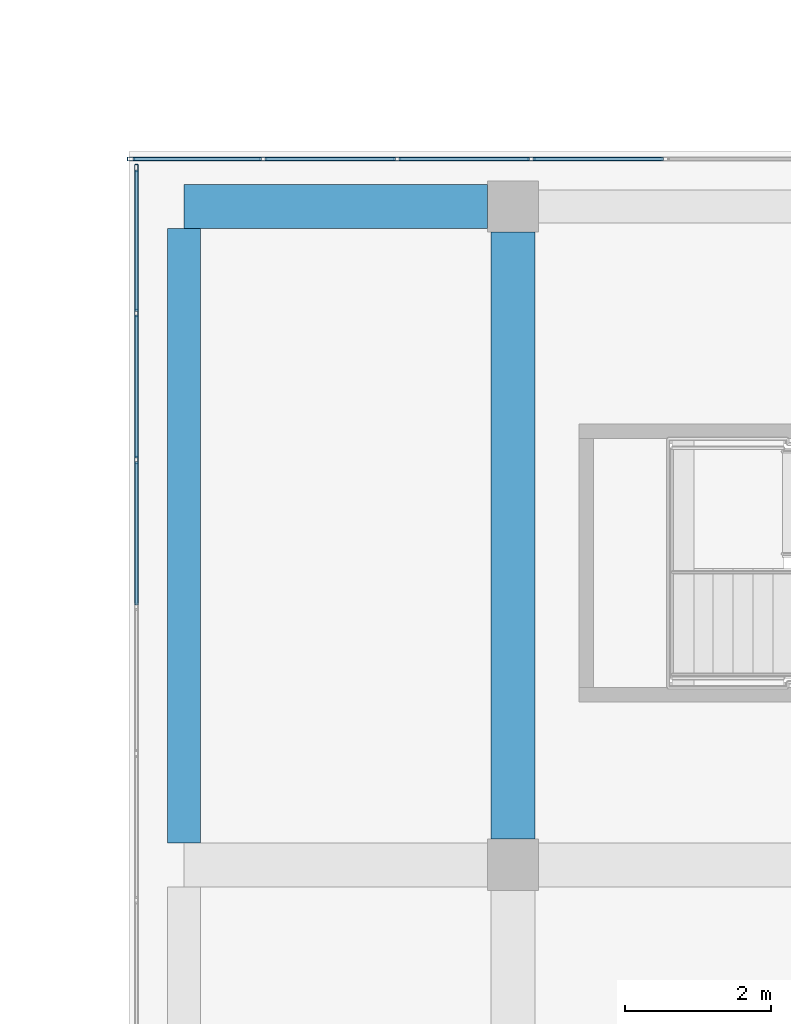
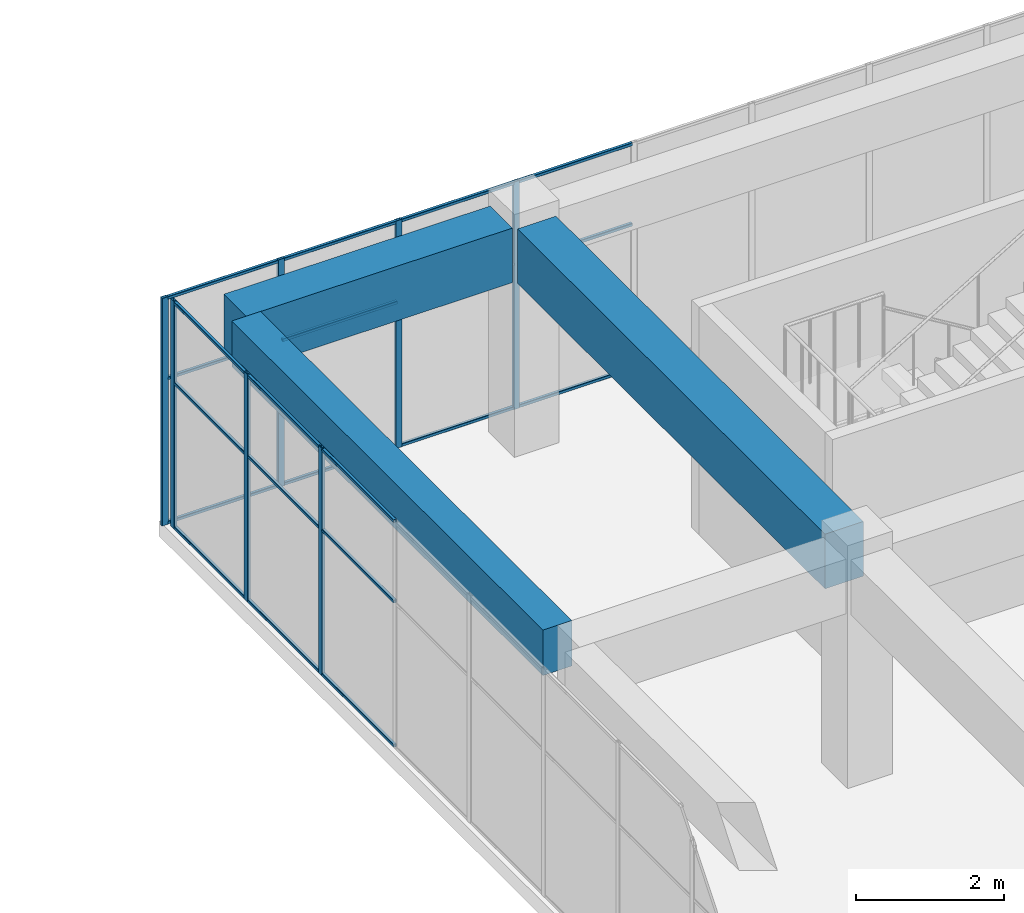
# One storey, part 27 of 43: 28 members, 3 beams, 2 elements without a shape of their own.
"""IFC4 building model written with IfcOpenShell, lengths in metres."""

import ifcopenshell
import ifcopenshell.guid

model = None  # the IFC model being written
_history = None  # IfcOwnerHistory: only IFC2X3 demands one
_inside = {}  # id of a spatial element -> (the spatial element, [elements in it])
_under = {}  # id of a project, library or spatial element -> (it, [spatial elements below it])
_declared = {}  # id of a project -> (the project, [libraries it declares])
_typed = {}  # id of a type object -> (the type object, [elements of that type])
_made_of = {}  # id of a material, layer set ... -> (it, [elements and type objects made of it])


def new_model(schema):
    """Start an empty IFC model of exactly this schema.

    Asked for "IFC4X3", IfcOpenShell would pick the latest addendum, in which some entities
    have other attributes; the version numbers below select the first issue.
    IFC2X3 requires an IfcOwnerHistory on every rooted entity: one is made here for all.
    """
    global model, _history
    if schema == "IFC4X3":
        model = ifcopenshell.file(schema_version=(4, 3, 0, 0))
    else:
        model = ifcopenshell.file(schema=schema)
    _inside.clear()
    _under.clear()
    _declared.clear()
    _typed.clear()
    _made_of.clear()
    _history = None
    if model.schema == "IFC2X3":
        org = make("IfcOrganization", Name="unknown")
        user = make(
            "IfcPersonAndOrganization",
            ThePerson=make("IfcPerson", FamilyName="unknown"),
            TheOrganization=org,
        )
        app = make(
            "IfcApplication",
            ApplicationDeveloper=org,
            Version="unknown",
            ApplicationFullName="unknown",
            ApplicationIdentifier="unknown",
        )
        _history = make(
            "IfcOwnerHistory",
            OwningUser=user,
            OwningApplication=app,
            ChangeAction="ADDED",
            CreationDate=0,
        )
    return model


def make(cls, **values):
    """One entity of the class cls with the attributes given. An attribute that is None is left unset."""
    return model.create_entity(
        cls, **{name: value for name, value in values.items() if value is not None}
    )


def rooted(cls, **values):
    """An entity with a GlobalId (a new one), such as an element, a storey or a relation."""
    return make(cls, GlobalId=ifcopenshell.guid.new(), OwnerHistory=_history, **values)


def si_unit(unit_type, name, prefix=None):
    """IfcSIUnit, for example si_unit("LENGTHUNIT", "METRE", prefix="MILLI")."""
    return make("IfcSIUnit", UnitType=unit_type, Prefix=prefix, Name=name)


def assignment(units):
    """IfcUnitAssignment: the units of a project."""
    return None if units is None else make("IfcUnitAssignment", Units=units)


def point(xyz):
    """IfcCartesianPoint."""
    return None if xyz is None else make("IfcCartesianPoint", Coordinates=xyz)


def direction(xyz):
    """IfcDirection."""
    return None if xyz is None else make("IfcDirection", DirectionRatios=xyz)


def frame(location, z_axis=None, x_axis=None):
    """IfcAxis2Placement3D, a coordinate frame: its origin and axes. An axis left out is left unset."""
    return make(
        "IfcAxis2Placement3D",
        Location=point(location),
        Axis=direction(z_axis),
        RefDirection=direction(x_axis),
    )


def frame_2d(location, x_axis=None):
    """IfcAxis2Placement2D, a coordinate frame in the plane: its origin and x axis."""
    return make(
        "IfcAxis2Placement2D", Location=point(location), RefDirection=direction(x_axis)
    )


def origin():
    """The frame at (0, 0, 0) with its axes left unset."""
    return frame((0.0, 0.0, 0.0))


def origin_2d():
    """The frame at (0, 0) in the plane with its x axis left unset."""
    return frame_2d((0.0, 0.0))


def place(relative_to, where):
    """IfcLocalPlacement: puts the frame where relative to a parent placement (None: the world)."""
    return make(
        "IfcLocalPlacement", PlacementRelTo=relative_to, RelativePlacement=where
    )


def context(
    kind, dimensions, precision=None, world=None, true_north=None, identifier=None
):
    """IfcGeometricRepresentationContext, for example the 3D "Model" context."""
    return make(
        "IfcGeometricRepresentationContext",
        ContextIdentifier=identifier,
        ContextType=kind,
        CoordinateSpaceDimension=dimensions,
        Precision=precision,
        WorldCoordinateSystem=world,
        TrueNorth=true_north,
    )


def subcontext(parent, identifier, kind, view, scale=None):
    """IfcGeometricRepresentationSubContext, for example "Body" below "Model"."""
    return make(
        "IfcGeometricRepresentationSubContext",
        ContextIdentifier=identifier,
        ContextType=kind,
        ParentContext=parent,
        TargetScale=scale,
        TargetView=view,
    )


def project(units=None, contexts=None):
    """IfcProject with its units and contexts."""
    return rooted(
        "IfcProject",
        Name="project",
        RepresentationContexts=contexts,
        UnitsInContext=assignment(units),
    )


def spatial(cls, under=None, at=None, **own):
    """A site, building, storey or space (cls), placed at a placement, below another one or the project."""
    s = rooted(cls, ObjectPlacement=at, **own)
    if under is not None:
        _under.setdefault(under.id(), (under, []))[1].append(s)
    return s


def profile(cls, at=None, kind="AREA", **sizes):
    """A parametric profile (cls). Its sizes go by their IFC names, for example OverallWidth=200.0."""
    return make(cls, ProfileType=kind, Position=at, **sizes)


def rectangle(**sizes):
    """IfcRectangleProfileDef."""
    return profile("IfcRectangleProfileDef", **sizes)


def hollow_rectangle(**sizes):
    """IfcRectangleHollowProfileDef."""
    return profile("IfcRectangleHollowProfileDef", **sizes)


def extrude(swept, where, along, depth):
    """IfcExtrudedAreaSolid: the profile swept, set in the frame where, extruded along a direction by depth."""
    return make(
        "IfcExtrudedAreaSolid",
        SweptArea=swept,
        Position=where,
        ExtrudedDirection=direction(along),
        Depth=depth,
    )


def shape(context_of_items, identifier, shape_type, items):
    """IfcShapeRepresentation: the items that make up one representation, for example the "Body"."""
    return make(
        "IfcShapeRepresentation",
        ContextOfItems=context_of_items,
        RepresentationIdentifier=identifier,
        RepresentationType=shape_type,
        Items=items,
    )


def material(Name=None, Category=None):
    """IfcMaterial."""
    return make("IfcMaterial", Name=Name, Category=Category)


def layer(
    of_material, thickness, ventilated=None, Name=None, Category=None, Priority=None
):
    """IfcMaterialLayer: one layer of a wall or slab, of a material (None: an air gap)."""
    return make(
        "IfcMaterialLayer",
        Material=of_material,
        LayerThickness=thickness,
        IsVentilated=ventilated,
        Name=Name,
        Category=Category,
        Priority=Priority,
    )


def layer_set(layers, Name=None):
    """IfcMaterialLayerSet."""
    return make("IfcMaterialLayerSet", MaterialLayers=layers, LayerSetName=Name)


def material_profile(
    of_material, cross_section, Name=None, Category=None, Priority=None
):
    """IfcMaterialProfile: a cross section and its material."""
    return make(
        "IfcMaterialProfile",
        Name=Name,
        Material=of_material,
        Profile=cross_section,
        Priority=Priority,
        Category=Category,
    )


def profile_set(profiles, Name=None, composite=None):
    """IfcMaterialProfileSet."""
    return make(
        "IfcMaterialProfileSet",
        Name=Name,
        MaterialProfiles=profiles,
        CompositeProfile=composite,
    )


def made_of(thing, what):
    """Note that an element or type object is made of a material, layer set ...; save() writes the relation."""
    if what is not None:
        _made_of.setdefault(what.id(), (what, []))[1].append(thing)
    return thing


def type_object(cls, material=None, **own):
    """A type object (cls), such as IfcWallType, which elements share."""
    return made_of(rooted(cls, **own), material)


def element(
    cls,
    number,
    at=None,
    inside=None,
    cuts=None,
    type_object=None,
    material=None,
    context=None,
    identifier="Body",
    shape_type=None,
    held_by="IfcProductDefinitionShape",
    body=None,
    shapes=None,
    **own,
):
    """One element of the class cls, such as IfcWall. Its Tag is "e" and its number.

    at: its placement. inside: the storey or other place that contains it. cuts: it is an
    opening in that element (IfcRelVoidsElement). A single representation is given by context,
    identifier, shape_type and body (its items); several are given by shapes. held_by: the class
    of the entity that holds the representations. save() writes the other relations.
    """
    e = rooted(cls, Tag="e%d" % number, ObjectPlacement=at, **own)
    if body is not None:
        shapes = [shape(context, identifier, shape_type, body)]
    if shapes is not None:
        e.Representation = make(held_by, Representations=shapes)
    if inside is not None:
        _inside.setdefault(inside.id(), (inside, []))[1].append(e)
    if cuts is not None:
        rooted(
            "IfcRelVoidsElement", RelatingBuildingElement=cuts, RelatedOpeningElement=e
        )
    if type_object is not None:
        _typed.setdefault(type_object.id(), (type_object, []))[1].append(e)
    return made_of(e, material)


def aggregate(whole, parts):
    """IfcRelAggregates: a whole, such as a stair, and the parts it consists of."""
    return rooted("IfcRelAggregates", RelatingObject=whole, RelatedObjects=parts)


def save(model, path):
    """Write the relations noted so far, then the file.

    IfcRelAggregates (storeys below a building ...), IfcRelContainedInSpatialStructure (elements
    in a storey), IfcRelDefinesByType, IfcRelAssociatesMaterial and IfcRelDeclares: one each for
    every whole, place, type object, material and project.
    """
    for whole, parts in _under.values():
        aggregate(whole, parts)
    for where, things in _inside.values():
        rooted(
            "IfcRelContainedInSpatialStructure",
            RelatedElements=things,
            RelatingStructure=where,
        )
    for kind, things in _typed.values():
        rooted("IfcRelDefinesByType", RelatedObjects=things, RelatingType=kind)
    for what, things in _made_of.values():
        rooted("IfcRelAssociatesMaterial", RelatedObjects=things, RelatingMaterial=what)
    for by, libraries in _declared.values():
        rooted("IfcRelDeclares", RelatingContext=by, RelatedDefinitions=libraries)
    model.write(path)


model = new_model("IFC4")

# Units and contexts
model_context = context("Model", 3, precision=1e-05, world=origin(), true_north=direction((0.0, 1.0)))
body_context = subcontext(model_context, "Body", "Model", "MODEL_VIEW")
ifc_project = project(units=[si_unit("LENGTHUNIT", "METRE"), si_unit("AREAUNIT", "SQUARE_METRE"), si_unit("VOLUMEUNIT", "CUBIC_METRE"), si_unit("PLANEANGLEUNIT", "RADIAN"), si_unit("MASSUNIT", "GRAM", prefix="KILO")], contexts=[model_context])

# Site, building, storey
site_placement = place(None, origin())
site = spatial("IfcSite", under=ifc_project, at=site_placement, CompositionType="ELEMENT")
building_placement = place(site_placement, origin())
building = spatial("IfcBuilding", under=site, at=building_placement, Name="Tuart Plaza Theatre", CompositionType="ELEMENT")
storey_placement = place(building_placement, frame((0.0, 0.0, 33.5)))
storey = spatial("IfcBuildingStorey", under=building, at=storey_placement, Name="L08", CompositionType="ELEMENT", Elevation=33.5)

# Beams
ifc_material_1 = material(Name="Concrete N40 (40 MPa)", Category="concrete")
ifc_material_profile_1 = material_profile(ifc_material_1, rectangle(XDim=0.449951171875, YDim=0.75, at=origin_2d()), Name="BEAM 450x750 Concrete N40 (40 MPa)")
ifc_profile_set_1 = profile_set([ifc_material_profile_1], Name="Concrete N40 (40 MPa)")
beam_type_1 = type_object("IfcBeamType", Name="BEAM 450x750 Concrete N40 (40 MPa)", PredefinedType="BEAM", material=ifc_profile_set_1)
beam_1_placement = place(storey_placement, frame((109.5, 83.300048828125, 3.375), z_axis=(0.0, 1.0, 0.0), x_axis=(-1.0, 0.0, 0.0)))
element("IfcBeam", 1, at=beam_1_placement, inside=storey, type_object=beam_type_1, Name="RB252", PredefinedType="BEAM", context=body_context, shape_type="SweptSolid", body=[
    extrude(rectangle(XDim=0.449951171875, YDim=0.75, at=origin_2d()), origin(), (0.0, 0.0, 1.0), 8.39990234375),
])
ifc_material_2 = material(Name="Concrete N40 (40 MPa)", Category="concrete")
ifc_material_profile_2 = material_profile(ifc_material_2, rectangle(XDim=0.60009765625, YDim=0.89990234375, at=origin_2d()), Name="BEAM 600x900 Concrete N40 (40 MPa)")
ifc_profile_set_2 = profile_set([ifc_material_profile_2], Name="Concrete N40 (40 MPa)")
beam_type_2 = type_object("IfcBeamType", Name="BEAM 600x900 Concrete N40 (40 MPa)", PredefinedType="BEAM", material=ifc_profile_set_2)
beam_2_placement = place(storey_placement, frame((109.5, 92.0, 3.300048828125), z_axis=(1.0, 0.0, 0.0), x_axis=(0.0, 1.0, 0.0)))
element("IfcBeam", 2, at=beam_2_placement, inside=storey, type_object=beam_type_2, Name="RB254", PredefinedType="BEAM", context=body_context, shape_type="SweptSolid", body=[
    extrude(rectangle(XDim=0.60009765625, YDim=0.89990234375, at=origin_2d()), origin(), (0.0, 0.0, 1.0), 4.14990234375),
])
beam_3_placement = place(storey_placement, frame((114.0, 83.35009765625, 3.300048828125), z_axis=(0.0, 1.0, 0.0), x_axis=(-1.0, 0.0, 0.0)))
element("IfcBeam", 3, at=beam_3_placement, inside=storey, type_object=beam_type_2, Name="RB261", PredefinedType="BEAM", context=body_context, shape_type="SweptSolid", body=[
    extrude(rectangle(XDim=0.60009765625, YDim=0.89990234375, at=origin_2d()), origin(), (0.0, 0.0, 1.0), 8.2998046875),
])

# Curtain wall, members
ifc_material_3 = material(Name="Aluminium and glass", Category="aluminium")
ifc_layer_1 = layer(ifc_material_3, 0.10009765625)
ifc_layer_set_1 = layer_set([ifc_layer_1], Name="CURTAIN WALL 1800 module")
curtain_wall_type_1 = type_object("IfcCurtainWallType", Name="CURTAIN WALL 1800 module", PredefinedType="NOTDEFINED", material=ifc_layer_set_1)
curtain_wall_1_placement = place(storey_placement, origin())
curtain_wall_1 = element("IfcCurtainWall", 4, at=curtain_wall_1_placement, inside=storey, type_object=curtain_wall_type_1, Name="CW95", PredefinedType="NOTDEFINED")
ifc_material_4 = material(Name="Aluminium 6063-T5", Category="aluminium")
ifc_material_profile_3 = material_profile(ifc_material_4, hollow_rectangle(XDim=0.050048828125, YDim=0.10009765625, WallThickness=0.00390625, InnerFilletRadius=0.00390625, OuterFilletRadius=0.008056640625, at=origin_2d()), Name="RHS 100x50x4")
ifc_profile_set_3 = profile_set([ifc_material_profile_3], Name="Aluminium 6063-T5")
member_type_1 = type_object("IfcMemberType", Name="MULLION RHS 100x50x4", PredefinedType="MULLION", material=ifc_profile_set_3)
member_1_placement = place(storey_placement, frame((114.25, 92.64990234375, 0.0), z_axis=(0.0, 0.0, 1.0), x_axis=(0.0, -1.0, 0.0)))
member_1 = element("IfcMember", 5, at=member_1_placement, type_object=member_type_1, Name="CW95 mullion 16", PredefinedType="MULLION", context=body_context, shape_type="SweptSolid", body=[
    extrude(hollow_rectangle(XDim=0.050048828125, YDim=0.10009765625, WallThickness=0.00390625, InnerFilletRadius=0.00390625, OuterFilletRadius=0.008056640625, at=origin_2d()), origin(), (0.0, 0.0, 1.0), 3.75),
])
member_2_placement = place(storey_placement, frame((112.416748046875, 92.64990234375, 0.0), z_axis=(0.0, 0.0, 1.0), x_axis=(0.0, -1.0, 0.0)))
member_2 = element("IfcMember", 6, at=member_2_placement, type_object=member_type_1, Name="CW95 mullion 17", PredefinedType="MULLION", context=body_context, shape_type="SweptSolid", body=[
    extrude(hollow_rectangle(XDim=0.050048828125, YDim=0.10009765625, WallThickness=0.00390625, InnerFilletRadius=0.00390625, OuterFilletRadius=0.008056640625, at=origin_2d()), origin(), (0.0, 0.0, 1.0), 3.75),
])
member_3_placement = place(storey_placement, frame((110.583251953125, 92.64990234375, 0.0), z_axis=(0.0, 0.0, 1.0), x_axis=(0.0, -1.0, 0.0)))
member_3 = element("IfcMember", 7, at=member_3_placement, type_object=member_type_1, Name="CW95 mullion 18", PredefinedType="MULLION", context=body_context, shape_type="SweptSolid", body=[
    extrude(hollow_rectangle(XDim=0.050048828125, YDim=0.10009765625, WallThickness=0.00390625, InnerFilletRadius=0.00390625, OuterFilletRadius=0.008056640625, at=origin_2d()), origin(), (0.0, 0.0, 1.0), 3.75),
])
member_4_placement = place(storey_placement, frame((108.77490234375, 92.64990234375, 0.0), z_axis=(0.0, 0.0, 1.0), x_axis=(0.0, -1.0, 0.0)))
member_4 = element("IfcMember", 8, at=member_4_placement, type_object=member_type_1, Name="CW95 mullion 19", PredefinedType="MULLION", context=body_context, shape_type="SweptSolid", body=[
    extrude(hollow_rectangle(XDim=0.050048828125, YDim=0.10009765625, WallThickness=0.00390625, InnerFilletRadius=0.00390625, OuterFilletRadius=0.008056640625, at=origin_2d()), origin(), (0.0, 0.0, 1.0), 3.75),
])

ifc_material_5 = material(Name="Aluminium and glass", Category="aluminium")
ifc_layer_2 = layer(ifc_material_5, 0.10009765625)
ifc_layer_set_2 = layer_set([ifc_layer_2], Name="CURTAIN WALL 2000 module")
curtain_wall_type_2 = type_object("IfcCurtainWallType", Name="CURTAIN WALL 2000 module", PredefinedType="NOTDEFINED", material=ifc_layer_set_2)
curtain_wall_2_placement = place(storey_placement, origin())
curtain_wall_2 = element("IfcCurtainWall", 9, at=curtain_wall_2_placement, inside=storey, type_object=curtain_wall_type_2, Name="CW97", PredefinedType="NOTDEFINED")
member_5_placement = place(storey_placement, frame((108.85009765625, 92.52490234375, 0.0), z_axis=(0.0, 0.0, 1.0), x_axis=(1.0, 0.0, 0.0)))
member_5 = element("IfcMember", 10, at=member_5_placement, type_object=member_type_1, Name="CW97 mullion 1", PredefinedType="MULLION", context=body_context, shape_type="SweptSolid", body=[
    extrude(hollow_rectangle(XDim=0.050048828125, YDim=0.10009765625, WallThickness=0.00390625, InnerFilletRadius=0.00390625, OuterFilletRadius=0.008056640625, at=origin_2d()), origin(), (0.0, 0.0, 1.0), 3.75),
])
member_6_placement = place(storey_placement, frame((108.85009765625, 90.54296875, 0.0), z_axis=(0.0, 0.0, 1.0), x_axis=(1.0, 0.0, 0.0)))
member_6 = element("IfcMember", 11, at=member_6_placement, type_object=member_type_1, Name="CW97 mullion 2", PredefinedType="MULLION", context=body_context, shape_type="SweptSolid", body=[
    extrude(hollow_rectangle(XDim=0.050048828125, YDim=0.10009765625, WallThickness=0.00390625, InnerFilletRadius=0.00390625, OuterFilletRadius=0.008056640625, at=origin_2d()), origin(), (0.0, 0.0, 1.0), 3.75),
])
member_7_placement = place(storey_placement, frame((108.85009765625, 88.53564453125, 0.0), z_axis=(0.0, 0.0, 1.0), x_axis=(1.0, 0.0, 0.0)))
member_7 = element("IfcMember", 12, at=member_7_placement, type_object=member_type_1, Name="CW97 mullion 3", PredefinedType="MULLION", context=body_context, shape_type="SweptSolid", body=[
    extrude(hollow_rectangle(XDim=0.050048828125, YDim=0.10009765625, WallThickness=0.00390625, InnerFilletRadius=0.00390625, OuterFilletRadius=0.008056640625, at=origin_2d()), origin(), (0.0, 0.0, 1.0), 3.75),
])

# Member
ifc_material_6 = material(Name="Aluminium 6063-T5", Category="aluminium")
ifc_material_profile_4 = material_profile(ifc_material_6, hollow_rectangle(XDim=0.050048828125, YDim=0.050048828125, WallThickness=0.00390625, InnerFilletRadius=0.00390625, OuterFilletRadius=0.008056640625, at=origin_2d()), Name="RHS 50x50x4")
ifc_profile_set_4 = profile_set([ifc_material_profile_4], Name="Aluminium 6063-T5")
member_type_2 = type_object("IfcMemberType", Name="TRANSOM RHS 50x50x4", PredefinedType="USERDEFINED", material=ifc_profile_set_4)
member_8_placement = place(storey_placement, frame((116.058349609375, 92.64990234375, 0.02490234375), z_axis=(-1.0, 0.0, 0.0), x_axis=(0.0, -1.0, 0.0)))
member_8 = element("IfcMember", 13, at=member_8_placement, type_object=member_type_2, Name="CW95 transom 15.1", ObjectType="TRANSOM", PredefinedType="USERDEFINED", context=body_context, shape_type="SweptSolid", body=[
    extrude(hollow_rectangle(XDim=0.050048828125, YDim=0.050048828125, WallThickness=0.00390625, InnerFilletRadius=0.00390625, OuterFilletRadius=0.008056640625, at=origin_2d()), origin(), (0.0, 0.0, 1.0), 1.783447265625),
])

member_9_placement = place(storey_placement, frame((116.058349609375, 92.64990234375, 2.39990234375), z_axis=(-1.0, 0.0, 0.0), x_axis=(0.0, -1.0, 0.0)))
member_9 = element("IfcMember", 14, at=member_9_placement, type_object=member_type_2, Name="CW95 transom 15.2", ObjectType="TRANSOM", PredefinedType="USERDEFINED", context=body_context, shape_type="SweptSolid", body=[
    extrude(hollow_rectangle(XDim=0.050048828125, YDim=0.050048828125, WallThickness=0.00390625, InnerFilletRadius=0.00390625, OuterFilletRadius=0.008056640625, at=origin_2d()), origin(), (0.0, 0.0, 1.0), 1.783447265625),
])

member_10_placement = place(storey_placement, frame((116.058349609375, 92.64990234375, 3.72509765625), z_axis=(-1.0, 0.0, 0.0), x_axis=(0.0, -1.0, 0.0)))
member_10 = element("IfcMember", 15, at=member_10_placement, type_object=member_type_2, Name="CW95 transom 15.3", ObjectType="TRANSOM", PredefinedType="USERDEFINED", context=body_context, shape_type="SweptSolid", body=[
    extrude(hollow_rectangle(XDim=0.050048828125, YDim=0.050048828125, WallThickness=0.00390625, InnerFilletRadius=0.00390625, OuterFilletRadius=0.008056640625, at=origin_2d()), origin(), (0.0, 0.0, 1.0), 1.783447265625),
])

member_11_placement = place(storey_placement, frame((114.22509765625, 92.64990234375, 0.02490234375), z_axis=(-1.0, 0.0, 0.0), x_axis=(0.0, -1.0, 0.0)))
member_11 = element("IfcMember", 16, at=member_11_placement, type_object=member_type_2, Name="CW95 transom 16.1", ObjectType="TRANSOM", PredefinedType="USERDEFINED", context=body_context, shape_type="SweptSolid", body=[
    extrude(hollow_rectangle(XDim=0.050048828125, YDim=0.050048828125, WallThickness=0.00390625, InnerFilletRadius=0.00390625, OuterFilletRadius=0.008056640625, at=origin_2d()), origin(), (0.0, 0.0, 1.0), 1.783447265625),
])

member_12_placement = place(storey_placement, frame((114.22509765625, 92.64990234375, 2.39990234375), z_axis=(-1.0, 0.0, 0.0), x_axis=(0.0, -1.0, 0.0)))
member_12 = element("IfcMember", 17, at=member_12_placement, type_object=member_type_2, Name="CW95 transom 16.2", ObjectType="TRANSOM", PredefinedType="USERDEFINED", context=body_context, shape_type="SweptSolid", body=[
    extrude(hollow_rectangle(XDim=0.050048828125, YDim=0.050048828125, WallThickness=0.00390625, InnerFilletRadius=0.00390625, OuterFilletRadius=0.008056640625, at=origin_2d()), origin(), (0.0, 0.0, 1.0), 1.783447265625),
])

member_13_placement = place(storey_placement, frame((114.22509765625, 92.64990234375, 3.72509765625), z_axis=(-1.0, 0.0, 0.0), x_axis=(0.0, -1.0, 0.0)))
member_13 = element("IfcMember", 18, at=member_13_placement, type_object=member_type_2, Name="CW95 transom 16.3", ObjectType="TRANSOM", PredefinedType="USERDEFINED", context=body_context, shape_type="SweptSolid", body=[
    extrude(hollow_rectangle(XDim=0.050048828125, YDim=0.050048828125, WallThickness=0.00390625, InnerFilletRadius=0.00390625, OuterFilletRadius=0.008056640625, at=origin_2d()), origin(), (0.0, 0.0, 1.0), 1.783447265625),
])

member_14_placement = place(storey_placement, frame((112.3916015625, 92.64990234375, 0.02490234375), z_axis=(-1.0, 0.0, 0.0), x_axis=(0.0, -1.0, 0.0)))
member_14 = element("IfcMember", 19, at=member_14_placement, type_object=member_type_2, Name="CW95 transom 17.1", ObjectType="TRANSOM", PredefinedType="USERDEFINED", context=body_context, shape_type="SweptSolid", body=[
    extrude(hollow_rectangle(XDim=0.050048828125, YDim=0.050048828125, WallThickness=0.00390625, InnerFilletRadius=0.00390625, OuterFilletRadius=0.008056640625, at=origin_2d()), origin(), (0.0, 0.0, 1.0), 1.783203125),
])

member_15_placement = place(storey_placement, frame((112.3916015625, 92.64990234375, 2.39990234375), z_axis=(-1.0, 0.0, 0.0), x_axis=(0.0, -1.0, 0.0)))
member_15 = element("IfcMember", 20, at=member_15_placement, type_object=member_type_2, Name="CW95 transom 17.2", ObjectType="TRANSOM", PredefinedType="USERDEFINED", context=body_context, shape_type="SweptSolid", body=[
    extrude(hollow_rectangle(XDim=0.050048828125, YDim=0.050048828125, WallThickness=0.00390625, InnerFilletRadius=0.00390625, OuterFilletRadius=0.008056640625, at=origin_2d()), origin(), (0.0, 0.0, 1.0), 1.783203125),
])

member_16_placement = place(storey_placement, frame((112.3916015625, 92.64990234375, 3.72509765625), z_axis=(-1.0, 0.0, 0.0), x_axis=(0.0, -1.0, 0.0)))
member_16 = element("IfcMember", 21, at=member_16_placement, type_object=member_type_2, Name="CW95 transom 17.3", ObjectType="TRANSOM", PredefinedType="USERDEFINED", context=body_context, shape_type="SweptSolid", body=[
    extrude(hollow_rectangle(XDim=0.050048828125, YDim=0.050048828125, WallThickness=0.00390625, InnerFilletRadius=0.00390625, OuterFilletRadius=0.008056640625, at=origin_2d()), origin(), (0.0, 0.0, 1.0), 1.783203125),
])

member_17_placement = place(storey_placement, frame((110.558349609375, 92.64990234375, 0.02490234375), z_axis=(-1.0, 0.0, 0.0), x_axis=(0.0, -1.0, 0.0)))
member_17 = element("IfcMember", 22, at=member_17_placement, type_object=member_type_2, Name="CW95 transom 18.1", ObjectType="TRANSOM", PredefinedType="USERDEFINED", context=body_context, shape_type="SweptSolid", body=[
    extrude(hollow_rectangle(XDim=0.050048828125, YDim=0.050048828125, WallThickness=0.00390625, InnerFilletRadius=0.00390625, OuterFilletRadius=0.008056640625, at=origin_2d()), origin(), (0.0, 0.0, 1.0), 1.75830078125),
])

member_18_placement = place(storey_placement, frame((110.558349609375, 92.64990234375, 2.39990234375), z_axis=(-1.0, 0.0, 0.0), x_axis=(0.0, -1.0, 0.0)))
member_18 = element("IfcMember", 23, at=member_18_placement, type_object=member_type_2, Name="CW95 transom 18.2", ObjectType="TRANSOM", PredefinedType="USERDEFINED", context=body_context, shape_type="SweptSolid", body=[
    extrude(hollow_rectangle(XDim=0.050048828125, YDim=0.050048828125, WallThickness=0.00390625, InnerFilletRadius=0.00390625, OuterFilletRadius=0.008056640625, at=origin_2d()), origin(), (0.0, 0.0, 1.0), 1.75830078125),
])

member_19_placement = place(storey_placement, frame((110.558349609375, 92.64990234375, 3.72509765625), z_axis=(-1.0, 0.0, 0.0), x_axis=(0.0, -1.0, 0.0)))
member_19 = element("IfcMember", 24, at=member_19_placement, type_object=member_type_2, Name="CW95 transom 18.3", ObjectType="TRANSOM", PredefinedType="USERDEFINED", context=body_context, shape_type="SweptSolid", body=[
    extrude(hollow_rectangle(XDim=0.050048828125, YDim=0.050048828125, WallThickness=0.00390625, InnerFilletRadius=0.00390625, OuterFilletRadius=0.008056640625, at=origin_2d()), origin(), (0.0, 0.0, 1.0), 1.75830078125),
])

aggregate(curtain_wall_1, [member_1, member_2, member_3, member_4, member_8, member_9, member_10, member_11, member_12, member_13, member_14, member_15, member_16, member_17, member_18, member_19])

member_20_placement = place(storey_placement, frame((108.85009765625, 92.5, 0.02490234375), z_axis=(0.0, -1.0, 0.0), x_axis=(1.0, 0.0, 0.0)))
member_20 = element("IfcMember", 25, at=member_20_placement, type_object=member_type_2, Name="CW97 transom 1.1", ObjectType="TRANSOM", PredefinedType="USERDEFINED", context=body_context, shape_type="SweptSolid", body=[
    extrude(hollow_rectangle(XDim=0.050048828125, YDim=0.050048828125, WallThickness=0.00390625, InnerFilletRadius=0.00390625, OuterFilletRadius=0.008056640625, at=origin_2d()), origin(), (0.0, 0.0, 1.0), 1.93212890625),
])

member_21_placement = place(storey_placement, frame((108.85009765625, 92.5, 2.39990234375), z_axis=(0.0, -1.0, 0.0), x_axis=(1.0, 0.0, 0.0)))
member_21 = element("IfcMember", 26, at=member_21_placement, type_object=member_type_2, Name="CW97 transom 1.2", ObjectType="TRANSOM", PredefinedType="USERDEFINED", context=body_context, shape_type="SweptSolid", body=[
    extrude(hollow_rectangle(XDim=0.050048828125, YDim=0.050048828125, WallThickness=0.00390625, InnerFilletRadius=0.00390625, OuterFilletRadius=0.008056640625, at=origin_2d()), origin(), (0.0, 0.0, 1.0), 1.93212890625),
])

member_22_placement = place(storey_placement, frame((108.85009765625, 92.5, 3.72509765625), z_axis=(0.0, -1.0, 0.0), x_axis=(1.0, 0.0, 0.0)))
member_22 = element("IfcMember", 27, at=member_22_placement, type_object=member_type_2, Name="CW97 transom 1.3", ObjectType="TRANSOM", PredefinedType="USERDEFINED", context=body_context, shape_type="SweptSolid", body=[
    extrude(hollow_rectangle(XDim=0.050048828125, YDim=0.050048828125, WallThickness=0.00390625, InnerFilletRadius=0.00390625, OuterFilletRadius=0.008056640625, at=origin_2d()), origin(), (0.0, 0.0, 1.0), 1.93212890625),
])

member_23_placement = place(storey_placement, frame((108.85009765625, 90.517822265625, 0.02490234375), z_axis=(0.0, -1.0, 0.0), x_axis=(1.0, 0.0, 0.0)))
member_23 = element("IfcMember", 28, at=member_23_placement, type_object=member_type_2, Name="CW97 transom 2.1", ObjectType="TRANSOM", PredefinedType="USERDEFINED", context=body_context, shape_type="SweptSolid", body=[
    extrude(hollow_rectangle(XDim=0.050048828125, YDim=0.050048828125, WallThickness=0.00390625, InnerFilletRadius=0.00390625, OuterFilletRadius=0.008056640625, at=origin_2d()), origin(), (0.0, 0.0, 1.0), 1.95703125),
])

member_24_placement = place(storey_placement, frame((108.85009765625, 90.517822265625, 2.39990234375), z_axis=(0.0, -1.0, 0.0), x_axis=(1.0, 0.0, 0.0)))
member_24 = element("IfcMember", 29, at=member_24_placement, type_object=member_type_2, Name="CW97 transom 2.2", ObjectType="TRANSOM", PredefinedType="USERDEFINED", context=body_context, shape_type="SweptSolid", body=[
    extrude(hollow_rectangle(XDim=0.050048828125, YDim=0.050048828125, WallThickness=0.00390625, InnerFilletRadius=0.00390625, OuterFilletRadius=0.008056640625, at=origin_2d()), origin(), (0.0, 0.0, 1.0), 1.95703125),
])

member_25_placement = place(storey_placement, frame((108.85009765625, 90.517822265625, 3.72509765625), z_axis=(0.0, -1.0, 0.0), x_axis=(1.0, 0.0, 0.0)))
member_25 = element("IfcMember", 30, at=member_25_placement, type_object=member_type_2, Name="CW97 transom 2.3", ObjectType="TRANSOM", PredefinedType="USERDEFINED", context=body_context, shape_type="SweptSolid", body=[
    extrude(hollow_rectangle(XDim=0.050048828125, YDim=0.050048828125, WallThickness=0.00390625, InnerFilletRadius=0.00390625, OuterFilletRadius=0.008056640625, at=origin_2d()), origin(), (0.0, 0.0, 1.0), 1.95703125),
])

member_26_placement = place(storey_placement, frame((108.85009765625, 88.5107421875, 0.02490234375), z_axis=(0.0, -1.0, 0.0), x_axis=(1.0, 0.0, 0.0)))
member_26 = element("IfcMember", 31, at=member_26_placement, type_object=member_type_2, Name="CW97 transom 3.1", ObjectType="TRANSOM", PredefinedType="USERDEFINED", context=body_context, shape_type="SweptSolid", body=[
    extrude(hollow_rectangle(XDim=0.050048828125, YDim=0.050048828125, WallThickness=0.00390625, InnerFilletRadius=0.00390625, OuterFilletRadius=0.008056640625, at=origin_2d()), origin(), (0.0, 0.0, 1.0), 1.957275390625),
])

member_27_placement = place(storey_placement, frame((108.85009765625, 88.5107421875, 2.39990234375), z_axis=(0.0, -1.0, 0.0), x_axis=(1.0, 0.0, 0.0)))
member_27 = element("IfcMember", 32, at=member_27_placement, type_object=member_type_2, Name="CW97 transom 3.2", ObjectType="TRANSOM", PredefinedType="USERDEFINED", context=body_context, shape_type="SweptSolid", body=[
    extrude(hollow_rectangle(XDim=0.050048828125, YDim=0.050048828125, WallThickness=0.00390625, InnerFilletRadius=0.00390625, OuterFilletRadius=0.008056640625, at=origin_2d()), origin(), (0.0, 0.0, 1.0), 1.957275390625),
])

member_28_placement = place(storey_placement, frame((108.85009765625, 88.5107421875, 3.72509765625), z_axis=(0.0, -1.0, 0.0), x_axis=(1.0, 0.0, 0.0)))
member_28 = element("IfcMember", 33, at=member_28_placement, type_object=member_type_2, Name="CW97 transom 3.3", ObjectType="TRANSOM", PredefinedType="USERDEFINED", context=body_context, shape_type="SweptSolid", body=[
    extrude(hollow_rectangle(XDim=0.050048828125, YDim=0.050048828125, WallThickness=0.00390625, InnerFilletRadius=0.00390625, OuterFilletRadius=0.008056640625, at=origin_2d()), origin(), (0.0, 0.0, 1.0), 1.957275390625),
])

aggregate(curtain_wall_2, [member_5, member_6, member_7, member_20, member_21, member_22, member_23, member_24, member_25, member_26, member_27, member_28])

save(model, "model.ifc")
